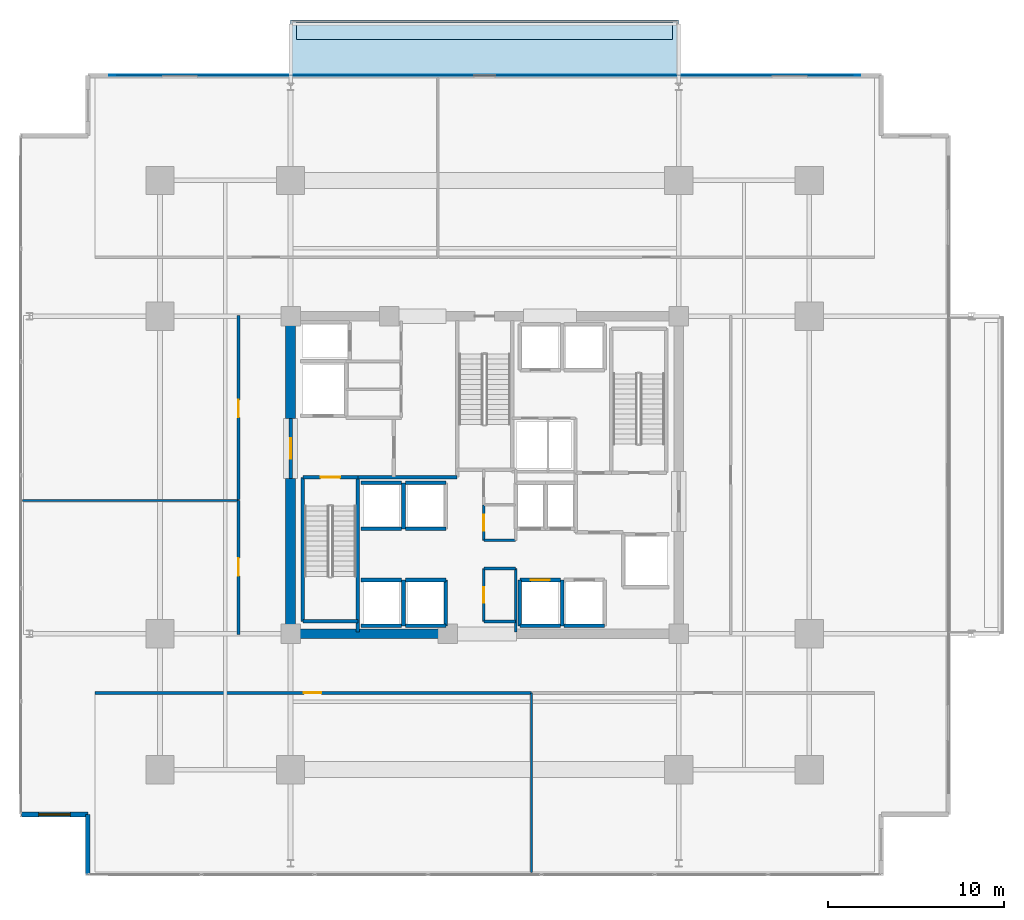
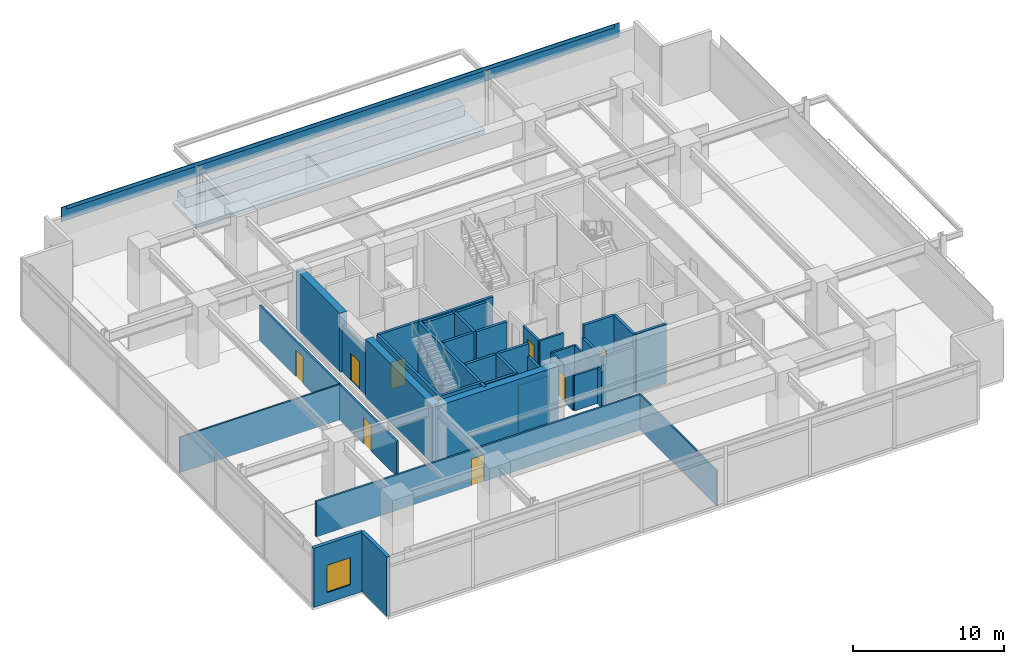
# One storey, part 12 of 20: 38 walls, 8 doors, 2 plates, 2 slabs, 1 window, 9 openings.
"""IFC4 building model written with IfcOpenShell, lengths in metres."""

from ifc_helpers import new_model, si_unit, direction, frame, frame_2d, origin, origin_2d, place, context, subcontext, project, spatial, polyline, rectangle, outline, extrude, material, layer, layer_set, type_object, element, fill, save


model = new_model("IFC4")

# Units and contexts
model_context = context("Model", 3, precision=1e-05, world=origin(), true_north=direction((0.0, 1.0)))
body_context = subcontext(model_context, "Body", "Model", "MODEL_VIEW")
ifc_project = project(units=[si_unit("LENGTHUNIT", "METRE"), si_unit("AREAUNIT", "SQUARE_METRE"), si_unit("VOLUMEUNIT", "CUBIC_METRE"), si_unit("PLANEANGLEUNIT", "RADIAN"), si_unit("MASSUNIT", "GRAM", prefix="KILO")], contexts=[model_context])

# Site, building, storey
site_placement = place(None, origin())
site = spatial("IfcSite", under=ifc_project, at=site_placement, CompositionType="ELEMENT")
building_placement = place(site_placement, origin())
building = spatial("IfcBuilding", under=site, at=building_placement, Name="Kovane Verandah Tower", CompositionType="ELEMENT")
storey_placement = place(building_placement, frame((0.0, 0.0, 123.39990234375)))
storey = spatial("IfcBuildingStorey", under=building, at=storey_placement, Name="L28", CompositionType="ELEMENT", Elevation=123.39990234375)

# Plates
ifc_material_1 = material(Name="Perforated Pale Champagne Anodised Aluminium Solar Screen", Category="aluminium")
ifc_layer_1 = layer(ifc_material_1, 0.050048828125)
ifc_layer_set_1 = layer_set([ifc_layer_1], Name="Perforated Pale Champagne Anodised Aluminium Solar Screen")
plate_type_1 = type_object("IfcPlateType", Name="PL-SCREEN-50", PredefinedType="USERDEFINED", material=ifc_layer_set_1)
plate_1_placement = place(storey_placement, frame((40.0, 50.154296875, 3.875244140625), z_axis=(0.0, 0.0, 1.0), x_axis=(-1.0, 0.0, 0.0)))
element("IfcPlate", 1, at=plate_1_placement, inside=storey, type_object=plate_type_1, Name="L28 N Perforated Champagne-Gold Solar Screen", ObjectType="SCREEN", PredefinedType="USERDEFINED", context=body_context, shape_type="SweptSolid", body=[
    extrude(rectangle(XDim=42.569091796875, YDim=0.050048828125, at=origin_2d()), origin(), (0.0, 0.0, 1.0), 1.14990234375),
])
ifc_material_2 = material(Name="Extruded Pale-Bronze Aluminium Aerofoil Sunshade", Category="aluminium")
ifc_layer_2 = layer(ifc_material_2, 0.06005859375)
ifc_layer_set_2 = layer_set([ifc_layer_2], Name="Extruded Pale-Bronze Aluminium Aerofoil Sunshade")
plate_type_2 = type_object("IfcPlateType", Name="PL-SUNSHADE-60", PredefinedType="USERDEFINED", material=ifc_layer_set_2)
plate_2_placement = place(storey_placement, frame((40.0, 50.1591796875, 4.7548828125), z_axis=(0.0, 0.0, 1.0), x_axis=(-1.0, 0.0, 0.0)))
element("IfcPlate", 2, at=plate_2_placement, inside=storey, type_object=plate_type_2, Name="L28 N Subtropical Aerofoil Sunshade", ObjectType="SUNSHADE", PredefinedType="USERDEFINED", context=body_context, shape_type="SweptSolid", body=[
    extrude(rectangle(XDim=41.76904296875, YDim=0.06005859375, at=origin_2d()), origin(), (0.0, 0.0, 1.0), 0.280029296875),
])

# Slabs
ifc_material_3 = material(Name="Concrete C45/55", Category="concrete")
ifc_layer_3 = layer(ifc_material_3, 0.300048828125)
ifc_layer_set_3 = layer_set([ifc_layer_3], Name="Concrete C45/55")
slab_type_1 = type_object("IfcSlabType", Name="SL-BALC-300", PredefinedType="FLOOR", material=ifc_layer_set_3)
slab_1_placement = place(storey_placement, frame((0.0, 0.0, -0.2998046875)))
element("IfcSlab", 3, at=slab_1_placement, inside=storey, type_object=slab_type_1, Name="L28 N Planted Verandah Balcony Slab", PredefinedType="FLOOR", context=body_context, shape_type="SweptSolid", body=[
    extrude(outline(polyline([(29.0, 50.13916015625), (51.0, 50.13916015625), (51.0, 53.289306640625), (29.0, 53.289306640625), (29.0, 50.13916015625)])), origin(), (0.0, 0.0, 1.0), 0.2998046875),
])
ifc_material_4 = material(Name="Architectural Precast Concrete C45/55 Planter Trough", Category="concrete")
ifc_layer_4 = layer(ifc_material_4, 0.219970703125)
ifc_layer_set_4 = layer_set([ifc_layer_4], Name="Architectural Precast Concrete C45/55 Planter Trough")
slab_type_2 = type_object("IfcSlabType", Name="SL-PLANTER-220", PredefinedType="USERDEFINED", material=ifc_layer_set_4)
slab_2_placement = place(storey_placement, origin())
element("IfcSlab", 4, at=slab_2_placement, inside=storey, type_object=slab_type_2, Name="L28 N Structural Tree Planter", ObjectType="PLANTER", PredefinedType="USERDEFINED", context=body_context, shape_type="SweptSolid", body=[
    extrude(outline(polyline([(29.35009765625, 52.189208984375), (50.64990234375, 52.189208984375), (50.64990234375, 53.189208984375), (29.35009765625, 53.189208984375), (29.35009765625, 52.189208984375)])), origin(), (0.0, 0.0, 1.0), 0.85009765625),
])

# Walls
ifc_material_5 = material(Name="Fire-Rated Gypsum Stud Partition", Category="gypsum")
ifc_layer_5 = layer(ifc_material_5, 0.14990234375)
ifc_layer_set_5 = layer_set([ifc_layer_5], Name="Fire-Rated Gypsum Stud Partition")
wall_type_1 = type_object("IfcWallType", Name="WL-COR-150", PredefinedType="PARTITIONING", material=ifc_layer_set_5)
for number, where, z_axis, x_axis, name in (
    (5, (39.949951171875, 19.199951171875, 0.0), (0.0, 0.0, 1.0), (1.0, 0.0, 0.0), "L28 Central Core Strip South Wall"),
    (6, (39.949951171875, 22.199951171875, 0.0), (0.0, 0.0, 1.0), (1.0, 0.0, 0.0), "L28 Core Cross-Passage South Wall"),
    (7, (39.949951171875, 23.800048828125, 0.0), (0.0, 0.0, 1.0), (1.0, 0.0, 0.0), "L28 Core Cross-Passage North Wall"),
):
    element("IfcWall", number, at=place(storey_placement, frame(where, z_axis=z_axis, x_axis=x_axis)), inside=storey, type_object=wall_type_1, Name=name, PredefinedType="PARTITIONING", context=body_context, shape_type="SweptSolid", body=[
        extrude(rectangle(XDim=1.81005859375, YDim=0.14990234375, at=frame_2d((0.905029296875, 0.0))), origin(), (0.0, 0.0, 1.0), 2.85009765625),
    ])
wall_1_placement = place(storey_placement, frame((41.760009765625, 18.60009765625, 0.0), z_axis=(0.0, 0.0, 1.0), x_axis=(0.0, 1.0, 0.0)))
element("IfcWall", 8, at=wall_1_placement, inside=storey, type_object=wall_type_1, Name="L28 Central Core Strip Lower East Wall", PredefinedType="PARTITIONING", context=body_context, shape_type="SweptSolid", body=[
    extrude(rectangle(XDim=3.599853515625, YDim=0.14990234375, at=frame_2d((1.7998046875, 0.0))), origin(), (0.0, 0.0, 1.0), 2.85009765625),
])

# Wall, opening, door
wall_2_placement = place(storey_placement, frame((39.949951171875, 19.199951171875, 0.0), z_axis=(0.0, 0.0, 1.0), x_axis=(0.0, 1.0, 0.0)))
wall_2 = element("IfcWall", 9, at=wall_2_placement, inside=storey, type_object=wall_type_1, Name="L28 Male Toilet Partition", PredefinedType="PARTITIONING", context=body_context, shape_type="SweptSolid", body=[
    extrude(rectangle(XDim=3.0, YDim=0.14990234375, at=frame_2d((1.5, 0.0))), origin(), (0.0, 0.0, 1.0), 2.85009765625),
])
opening_1_placement = place(wall_2_placement, frame((1.050048828125, 0.0, 0.0)))
opening_1 = element("IfcOpeningElement", 10, at=opening_1_placement, cuts=wall_2, Name="Opening DR-L28-023", PredefinedType="OPENING", context=body_context, shape_type="SweptSolid", body=[
    extrude(rectangle(XDim=0.89990234375, YDim=2.10009765625, at=frame_2d((0.449951171875, 1.050048828125))), frame((0.0, 0.074951171875, 0.0), z_axis=(0.0, -1.0, 0.0), x_axis=(1.0, 0.0, 0.0)), (0.0, 0.0, 1.0), 0.14990234375),
])
ifc_material_6 = material(Name="Moisture-Resistant Laminate Washroom Door", Category="wood")
door_type_1 = type_object("IfcDoorType", Name="DR-WC-900", OperationType="SINGLE_SWING_LEFT", PredefinedType="DOOR", material=ifc_material_6)
door_1_placement = place(opening_1_placement, origin())
door_1 = element("IfcDoor", 11, at=door_1_placement, inside=storey, type_object=door_type_1, Name="L28 Male Toilet Door", OperationType="SINGLE_SWING_LEFT", OverallHeight=2.10009765625, OverallWidth=0.89990234375, PredefinedType="DOOR", context=body_context, shape_type="SweptSolid", body=[
    extrude(rectangle(XDim=0.89990234375, YDim=2.10009765625, at=frame_2d((0.449951171875, 1.050048828125))), frame((0.0, 0.02490234375, 0.0), z_axis=(0.0, -1.0, 0.0), x_axis=(1.0, 0.0, 0.0)), (0.0, 0.0, 1.0), 0.050048828125),
])
fill(opening_1, door_1)

wall_3_placement = place(storey_placement, frame((39.949951171875, 23.800048828125, 0.0), z_axis=(0.0, 0.0, 1.0), x_axis=(0.0, 1.0, 0.0)))
wall_3 = element("IfcWall", 12, at=wall_3_placement, inside=storey, type_object=wall_type_1, Name="L28 Female Toilet Partition", PredefinedType="PARTITIONING", context=body_context, shape_type="SweptSolid", body=[
    extrude(rectangle(XDim=2.0, YDim=0.14990234375, at=frame_2d((1.0, 0.0))), origin(), (0.0, 0.0, 1.0), 2.85009765625),
])
opening_2_placement = place(wall_3_placement, frame((0.550048828125, 0.0, 0.0)))
opening_2 = element("IfcOpeningElement", 13, at=opening_2_placement, cuts=wall_3, Name="Opening DR-L28-022", PredefinedType="OPENING", context=body_context, shape_type="SweptSolid", body=[
    extrude(rectangle(XDim=0.89990234375, YDim=2.10009765625, at=frame_2d((0.449951171875, 1.050048828125))), frame((0.0, 0.074951171875, 0.0), z_axis=(0.0, -1.0, 0.0), x_axis=(1.0, 0.0, 0.0)), (0.0, 0.0, 1.0), 0.14990234375),
])
door_2_placement = place(opening_2_placement, origin())
door_2 = element("IfcDoor", 14, at=door_2_placement, inside=storey, type_object=door_type_1, Name="L28 Female Toilet Door", OperationType="SINGLE_SWING_RIGHT", OverallHeight=2.10009765625, OverallWidth=0.89990234375, PredefinedType="DOOR", context=body_context, shape_type="SweptSolid", body=[
    extrude(rectangle(XDim=0.89990234375, YDim=2.10009765625, at=frame_2d((0.449951171875, 1.050048828125))), frame((0.0, 0.02490234375, 0.0), z_axis=(0.0, -1.0, 0.0), x_axis=(1.0, 0.0, 0.0)), (0.0, 0.0, 1.0), 0.050048828125),
])
fill(opening_2, door_2)

wall_4_placement = place(storey_placement, frame((17.915283203125, 15.14990234375, 0.0), z_axis=(0.0, 0.0, 1.0), x_axis=(1.0, 0.0, 0.0)))
wall_4 = element("IfcWall", 15, at=wall_4_placement, inside=storey, type_object=wall_type_1, Name="L28 Meeting Room S1 Corridor Partition", PredefinedType="PARTITIONING", context=body_context, shape_type="SweptSolid", body=[
    extrude(rectangle(XDim=24.73486328125, YDim=0.14990234375, at=frame_2d((12.367431640625, 0.0))), origin(), (0.0, 0.0, 1.0), 2.85009765625),
])
opening_3_placement = place(wall_4_placement, frame((11.83251953125, 0.0, 0.0)))
opening_3 = element("IfcOpeningElement", 16, at=opening_3_placement, cuts=wall_4, Name="Opening DR-L28-018", PredefinedType="OPENING", context=body_context, shape_type="SweptSolid", body=[
    extrude(rectangle(XDim=1.0, YDim=2.14990234375, at=frame_2d((0.5, 1.074951171875))), frame((0.0, 0.074951171875, 0.0), z_axis=(0.0, -1.0, 0.0), x_axis=(1.0, 0.0, 0.0)), (0.0, 0.0, 1.0), 0.14990234375),
])
ifc_material_7 = material(Name="FSC Spotted-Gum Timber Fire-Rated Office Door", Category="wood")
door_type_2 = type_object("IfcDoorType", Name="DR-OFF-1000", OperationType="SINGLE_SWING_LEFT", PredefinedType="DOOR", material=ifc_material_7)
door_3_placement = place(opening_3_placement, origin())
door_3 = element("IfcDoor", 17, at=door_3_placement, inside=storey, type_object=door_type_2, Name="L28 Meeting Room S1 Entrance Door", OperationType="SINGLE_SWING_LEFT", OverallHeight=2.14990234375, OverallWidth=1.0, PredefinedType="DOOR", context=body_context, shape_type="SweptSolid", body=[
    extrude(rectangle(XDim=1.0, YDim=2.14990234375, at=frame_2d((0.5, 1.074951171875))), frame((0.0, 0.02490234375, 0.0), z_axis=(0.0, -1.0, 0.0), x_axis=(1.0, 0.0, 0.0)), (0.0, 0.0, 1.0), 0.050048828125),
])
fill(opening_3, door_3)

wall_5_placement = place(storey_placement, frame((26.050048828125, 18.449951171875, 0.0), z_axis=(0.0, 0.0, 1.0), x_axis=(0.0, 1.0, 0.0)))
wall_5 = element("IfcWall", 18, at=wall_5_placement, inside=storey, type_object=wall_type_1, Name="L28 Breakout Pantry W1 Corridor Partition", PredefinedType="PARTITIONING", context=body_context, shape_type="SweptSolid", body=[
    extrude(rectangle(XDim=7.60205078125, YDim=0.14990234375, at=frame_2d((3.801025390625, 0.0))), origin(), (0.0, 0.0, 1.0), 2.85009765625),
])
opening_4_placement = place(wall_5_placement, frame((3.341064453125, 0.0, 0.0)))
opening_4 = element("IfcOpeningElement", 19, at=opening_4_placement, cuts=wall_5, Name="Opening DR-L28-024", PredefinedType="OPENING", context=body_context, shape_type="SweptSolid", body=[
    extrude(rectangle(XDim=1.0, YDim=2.14990234375, at=frame_2d((0.5, 1.074951171875))), frame((0.0, 0.074951171875, 0.0), z_axis=(0.0, -1.0, 0.0), x_axis=(1.0, 0.0, 0.0)), (0.0, 0.0, 1.0), 0.14990234375),
])
door_4_placement = place(opening_4_placement, origin())
door_4 = element("IfcDoor", 20, at=door_4_placement, inside=storey, type_object=door_type_2, Name="L28 Breakout Pantry W1 Entrance Door", OperationType="SINGLE_SWING_LEFT", OverallHeight=2.14990234375, OverallWidth=1.0, PredefinedType="DOOR", context=body_context, shape_type="SweptSolid", body=[
    extrude(rectangle(XDim=1.0, YDim=2.14990234375, at=frame_2d((0.5, 1.074951171875))), frame((0.0, 0.02490234375, 0.0), z_axis=(0.0, -1.0, 0.0), x_axis=(1.0, 0.0, 0.0)), (0.0, 0.0, 1.0), 0.050048828125),
])
fill(opening_4, door_4)

wall_6_placement = place(storey_placement, frame((26.050048828125, 26.1220703125, 0.0), z_axis=(0.0, 0.0, 1.0), x_axis=(0.0, 1.0, 0.0)))
wall_6 = element("IfcWall", 21, at=wall_6_placement, inside=storey, type_object=wall_type_1, Name="L28 Collaboration Hub W2 Corridor Partition", PredefinedType="PARTITIONING", context=body_context, shape_type="SweptSolid", body=[
    extrude(rectangle(XDim=10.427978515625, YDim=0.14990234375, at=frame_2d((5.2138671875, 0.0))), origin(), (0.0, 0.0, 1.0), 2.85009765625),
])
opening_5_placement = place(wall_6_placement, frame((4.638916015625, 0.0, 0.0)))
opening_5 = element("IfcOpeningElement", 22, at=opening_5_placement, cuts=wall_6, Name="Opening DR-L28-025", PredefinedType="OPENING", context=body_context, shape_type="SweptSolid", body=[
    extrude(rectangle(XDim=1.0, YDim=2.14990234375, at=frame_2d((0.5, 1.074951171875))), frame((0.0, 0.074951171875, 0.0), z_axis=(0.0, -1.0, 0.0), x_axis=(1.0, 0.0, 0.0)), (0.0, 0.0, 1.0), 0.14990234375),
])
door_5_placement = place(opening_5_placement, origin())
door_5 = element("IfcDoor", 23, at=door_5_placement, inside=storey, type_object=door_type_2, Name="L28 Collaboration Hub W2 Entrance Door", OperationType="SINGLE_SWING_RIGHT", OverallHeight=2.14990234375, OverallWidth=1.0, PredefinedType="DOOR", context=body_context, shape_type="SweptSolid", body=[
    extrude(rectangle(XDim=1.0, YDim=2.14990234375, at=frame_2d((0.5, 1.074951171875))), frame((0.0, 0.02490234375, 0.0), z_axis=(0.0, -1.0, 0.0), x_axis=(1.0, 0.0, 0.0)), (0.0, 0.0, 1.0), 0.050048828125),
])
fill(opening_5, door_5)

# Walls
ifc_material_8 = material(Name="Concrete C60/75", Category="concrete")
ifc_layer_6 = layer(ifc_material_8, 0.550048828125)
ifc_layer_set_6 = layer_set([ifc_layer_6], Name="Concrete C60/75")
wall_type_2 = type_object("IfcWallType", Name="WL-CORE-550", PredefinedType="SHEAR", material=ifc_layer_set_6)
wall_7_placement = place(storey_placement, frame((29.0, 18.5, 0.0), z_axis=(0.0, 0.0, 1.0), x_axis=(1.0, 0.0, 0.0)))
element("IfcWall", 24, at=wall_7_placement, inside=storey, type_object=wall_type_2, Name="L28 Core Shear Wall CS-1", PredefinedType="SHEAR", context=body_context, shape_type="SweptSolid", body=[
    extrude(rectangle(XDim=9.199951171875, YDim=0.550048828125, at=frame_2d((4.60009765625, 0.0))), origin(), (0.0, 0.0, 1.0), 4.775146484375),
])
wall_8_placement = place(storey_placement, frame((29.0, 18.5, 0.0), z_axis=(0.0, 0.0, 1.0), x_axis=(0.0, 1.0, 0.0)))
element("IfcWall", 25, at=wall_8_placement, inside=storey, type_object=wall_type_2, Name="L28 Core Shear Wall CW-1", PredefinedType="SHEAR", context=body_context, shape_type="SweptSolid", body=[
    extrude(rectangle(XDim=8.800048828125, YDim=0.550048828125, at=frame_2d((4.39990234375, 0.0))), origin(), (0.0, 0.0, 1.0), 4.775146484375),
])
wall_9_placement = place(storey_placement, frame((29.0, 30.699951171875, 0.0), z_axis=(0.0, 0.0, 1.0), x_axis=(0.0, 1.0, 0.0)))
element("IfcWall", 26, at=wall_9_placement, inside=storey, type_object=wall_type_2, Name="L28 Core Shear Wall CW-2", PredefinedType="SHEAR", context=body_context, shape_type="SweptSolid", body=[
    extrude(rectangle(XDim=5.800048828125, YDim=0.550048828125, at=frame_2d((2.89990234375, 0.0))), origin(), (0.0, 0.0, 1.0), 4.775146484375),
])

# Wall, opening, door
ifc_material_9 = material(Name="Concrete C45/55 Fire Wall", Category="concrete")
ifc_layer_7 = layer(ifc_material_9, 0.199951171875)
ifc_layer_set_7 = layer_set([ifc_layer_7], Name="Concrete C45/55 Fire Wall")
wall_type_3 = type_object("IfcWallType", Name="WL-FFL-200", PredefinedType="PARTITIONING", material=ifc_layer_set_7)
wall_10_placement = place(storey_placement, frame((29.0, 27.300048828125, 0.0), z_axis=(0.0, 0.0, 1.0), x_axis=(0.0, 1.0, 0.0)))
wall_10 = element("IfcWall", 27, at=wall_10_placement, inside=storey, type_object=wall_type_3, Name="W-L28-FFLW-OUT", PredefinedType="PARTITIONING", context=body_context, shape_type="SweptSolid", body=[
    extrude(rectangle(XDim=3.39990234375, YDim=0.199951171875, at=frame_2d((1.699951171875, 0.0))), origin(), (0.0, 0.0, 1.0), 3.755126953125),
])
opening_6_placement = place(wall_10_placement, frame((1.125, 0.0, 0.0)))
opening_6 = element("IfcOpeningElement", 28, at=opening_6_placement, cuts=wall_10, Name="Opening DR-L28-007", PredefinedType="OPENING", context=body_context, shape_type="SweptSolid", body=[
    extrude(rectangle(XDim=1.14990234375, YDim=2.199951171875, at=frame_2d((0.574951171875, 1.10009765625))), frame((0.0, 0.10009765625, 0.0), z_axis=(0.0, -1.0, 0.0), x_axis=(1.0, 0.0, 0.0)), (0.0, 0.0, 1.0), 0.199951171875),
])
ifc_material_10 = material(Name="Smoke-Sealed Firefighting Lobby Door", Category="steel")
door_type_3 = type_object("IfcDoorType", Name="DR-FFL-1150", OperationType="SINGLE_SWING_LEFT", PredefinedType="DOOR", material=ifc_material_10)
door_6_placement = place(opening_6_placement, origin())
door_6 = element("IfcDoor", 29, at=door_6_placement, inside=storey, type_object=door_type_3, Name="L28 West Firefighting Lobby Corridor Door", OperationType="SINGLE_SWING_RIGHT", OverallHeight=2.199951171875, OverallWidth=1.14990234375, PredefinedType="DOOR", context=body_context, shape_type="SweptSolid", body=[
    extrude(rectangle(XDim=1.14990234375, YDim=2.199951171875, at=frame_2d((0.574951171875, 1.10009765625))), frame((0.0, 0.02490234375, 0.0), z_axis=(0.0, -1.0, 0.0), x_axis=(1.0, 0.0, 0.0)), (0.0, 0.0, 1.0), 0.050048828125),
])
fill(opening_6, door_6)

# Walls
wall_11_placement = place(storey_placement, frame((32.820068359375, 27.3798828125, 0.0), z_axis=(0.0, 0.0, 1.0), x_axis=(1.0, 0.0, 0.0)))
element("IfcWall", 30, at=wall_11_placement, inside=storey, type_object=wall_type_3, Name="L28 West Firefighting Lobby South Fire Wall", PredefinedType="PARTITIONING", context=body_context, shape_type="SweptSolid", body=[
    extrude(rectangle(XDim=5.619873046875, YDim=0.199951171875, at=frame_2d((2.81005859375, 0.0))), origin(), (0.0, 0.0, 1.0), 4.775146484375),
])
ifc_material_11 = material(Name="Concrete C45/55 Lift Shaft Wall", Category="concrete")
ifc_layer_8 = layer(ifc_material_11, 0.199951171875)
ifc_layer_set_8 = layer_set([ifc_layer_8], Name="Concrete C45/55 Lift Shaft Wall")
wall_type_4 = type_object("IfcWallType", Name="WL-LIFT-200", PredefinedType="SOLIDWALL", material=ifc_layer_set_8)
for number, where, z_axis, x_axis, name in (
    (31, (33.0, 18.949951171875, 0.0), (0.0, 0.0, 1.0), (1.0, 0.0, 0.0), "L28 Lift PL-L1 S Shaft Wall"),
    (32, (35.300048828125, 21.550048828125, 0.0), (0.0, 0.0, 1.0), (-1.0, 0.0, 0.0), "L28 Lift PL-L1 N Shaft Wall"),
):
    element("IfcWall", number, at=place(storey_placement, frame(where, z_axis=z_axis, x_axis=x_axis)), inside=storey, type_object=wall_type_4, Name=name, PredefinedType="SOLIDWALL", context=body_context, shape_type="SweptSolid", body=[
        extrude(rectangle(XDim=2.300048828125, YDim=0.199951171875, at=frame_2d((1.14990234375, 0.0))), origin(), (0.0, 0.0, 1.0), 4.775146484375),
    ])
wall_12_placement = place(storey_placement, frame((35.39990234375, 18.949951171875, 0.0), z_axis=(0.0, 0.0, 1.0), x_axis=(0.0, 1.0, 0.0)))
element("IfcWall", 33, at=wall_12_placement, inside=storey, type_object=wall_type_4, Name="L28 Lift PL-L1 and PL-L2 Shared Shaft Wall", PredefinedType="SOLIDWALL", context=body_context, shape_type="SweptSolid", body=[
    extrude(rectangle(XDim=2.60009765625, YDim=0.199951171875, at=frame_2d((1.300048828125, 0.0))), origin(), (0.0, 0.0, 1.0), 4.775146484375),
])
wall_13_placement = place(storey_placement, frame((35.5, 18.949951171875, 0.0), z_axis=(0.0, 0.0, 1.0), x_axis=(1.0, 0.0, 0.0)))
element("IfcWall", 34, at=wall_13_placement, inside=storey, type_object=wall_type_4, Name="L28 Lift PL-L2 S Shaft Wall", PredefinedType="SOLIDWALL", context=body_context, shape_type="SweptSolid", body=[
    extrude(rectangle(XDim=2.300048828125, YDim=0.199951171875, at=frame_2d((1.14990234375, 0.0))), origin(), (0.0, 0.0, 1.0), 3.755126953125),
])
wall_14_placement = place(storey_placement, frame((37.800048828125, 21.550048828125, 0.0), z_axis=(0.0, 0.0, 1.0), x_axis=(-1.0, 0.0, 0.0)))
element("IfcWall", 35, at=wall_14_placement, inside=storey, type_object=wall_type_4, Name="L28 Lift PL-L2 N Shaft Wall", PredefinedType="SOLIDWALL", context=body_context, shape_type="SweptSolid", body=[
    extrude(rectangle(XDim=2.300048828125, YDim=0.199951171875, at=frame_2d((1.14990234375, 0.0))), origin(), (0.0, 0.0, 1.0), 4.775146484375),
])
wall_15_placement = place(storey_placement, frame((37.800048828125, 18.949951171875, 0.0), z_axis=(0.0, 0.0, 1.0), x_axis=(0.0, 1.0, 0.0)))
element("IfcWall", 36, at=wall_15_placement, inside=storey, type_object=wall_type_4, Name="L28 Lift PL-L2 E Shaft Wall", PredefinedType="SOLIDWALL", context=body_context, shape_type="SweptSolid", body=[
    extrude(rectangle(XDim=2.60009765625, YDim=0.199951171875, at=frame_2d((1.300048828125, 0.0))), origin(), (0.0, 0.0, 1.0), 3.755126953125),
])
for number, where, z_axis, x_axis, name in (
    (37, (33.0, 24.449951171875, 0.0), (0.0, 0.0, 1.0), (1.0, 0.0, 0.0), "L28 Lift PL-L3 S Shaft Wall"),
    (38, (35.300048828125, 27.050048828125, 0.0), (0.0, 0.0, 1.0), (-1.0, 0.0, 0.0), "L28 Lift PL-L3 N Shaft Wall"),
):
    element("IfcWall", number, at=place(storey_placement, frame(where, z_axis=z_axis, x_axis=x_axis)), inside=storey, type_object=wall_type_4, Name=name, PredefinedType="SOLIDWALL", context=body_context, shape_type="SweptSolid", body=[
        extrude(rectangle(XDim=2.300048828125, YDim=0.199951171875, at=frame_2d((1.14990234375, 0.0))), origin(), (0.0, 0.0, 1.0), 4.775146484375),
    ])
wall_16_placement = place(storey_placement, frame((35.39990234375, 24.449951171875, 0.0), z_axis=(0.0, 0.0, 1.0), x_axis=(0.0, 1.0, 0.0)))
element("IfcWall", 39, at=wall_16_placement, inside=storey, type_object=wall_type_4, Name="L28 Lift PL-L3 and PL-L4 Shared Shaft Wall", PredefinedType="SOLIDWALL", context=body_context, shape_type="SweptSolid", body=[
    extrude(rectangle(XDim=2.60009765625, YDim=0.199951171875, at=frame_2d((1.300048828125, 0.0))), origin(), (0.0, 0.0, 1.0), 4.775146484375),
])
for number, where, z_axis, x_axis, name in (
    (40, (35.5, 24.449951171875, 0.0), (0.0, 0.0, 1.0), (1.0, 0.0, 0.0), "L28 Lift PL-L4 S Shaft Wall"),
    (41, (37.800048828125, 27.050048828125, 0.0), (0.0, 0.0, 1.0), (-1.0, 0.0, 0.0), "L28 Lift PL-L4 N Shaft Wall"),
):
    element("IfcWall", number, at=place(storey_placement, frame(where, z_axis=z_axis, x_axis=x_axis)), inside=storey, type_object=wall_type_4, Name=name, PredefinedType="SOLIDWALL", context=body_context, shape_type="SweptSolid", body=[
        extrude(rectangle(XDim=2.300048828125, YDim=0.199951171875, at=frame_2d((1.14990234375, 0.0))), origin(), (0.0, 0.0, 1.0), 4.775146484375),
    ])
wall_17_placement = place(storey_placement, frame((42.0, 18.949951171875, 0.0), z_axis=(0.0, 0.0, 1.0), x_axis=(1.0, 0.0, 0.0)))
element("IfcWall", 42, at=wall_17_placement, inside=storey, type_object=wall_type_4, Name="L28 Lift PL-M1 S Shaft Wall", PredefinedType="SOLIDWALL", context=body_context, shape_type="SweptSolid", body=[
    extrude(rectangle(XDim=2.300048828125, YDim=0.199951171875, at=frame_2d((1.14990234375, 0.0))), origin(), (0.0, 0.0, 1.0), 3.755126953125),
])

# Wall, opening, door
wall_18_placement = place(storey_placement, frame((44.300048828125, 21.550048828125, 0.0), z_axis=(0.0, 0.0, 1.0), x_axis=(-1.0, 0.0, 0.0)))
wall_18 = element("IfcWall", 43, at=wall_18_placement, inside=storey, type_object=wall_type_4, Name="L28 Lift PL-M1 N Shaft Wall", PredefinedType="SOLIDWALL", context=body_context, shape_type="SweptSolid", body=[
    extrude(rectangle(XDim=2.300048828125, YDim=0.199951171875, at=frame_2d((1.14990234375, 0.0))), origin(), (0.0, 0.0, 1.0), 4.775146484375),
])
opening_7_placement = place(wall_18_placement, frame((0.60009765625, 0.0, 0.0)))
opening_7 = element("IfcOpeningElement", 44, at=opening_7_placement, cuts=wall_18, Name="Opening LD-L28-004", PredefinedType="OPENING", context=body_context, shape_type="SweptSolid", body=[
    extrude(rectangle(XDim=1.10009765625, YDim=2.199951171875, at=frame_2d((0.550048828125, 1.10009765625))), frame((0.0, 0.10009765625, 0.0), z_axis=(0.0, -1.0, 0.0), x_axis=(1.0, 0.0, 0.0)), (0.0, 0.0, 1.0), 0.199951171875),
])
ifc_material_12 = material(Name="Brushed Stainless Steel Sliding Lift Landing Door", Category="steel")
door_type_4 = type_object("IfcDoorType", Name="DR-LIFT-1100", OperationType="SLIDING_TO_RIGHT", PredefinedType="DOOR", material=ifc_material_12)
door_7_placement = place(opening_7_placement, origin())
door_7 = element("IfcDoor", 45, at=door_7_placement, inside=storey, type_object=door_type_4, Name="L28 Lift PL-M1 Sliding Landing Door", OperationType="SLIDING_TO_RIGHT", OverallHeight=2.199951171875, OverallWidth=1.10009765625, PredefinedType="DOOR", context=body_context, shape_type="SweptSolid", body=[
    extrude(rectangle(XDim=1.10009765625, YDim=2.199951171875, at=frame_2d((0.550048828125, 1.10009765625))), frame((0.0, 0.02490234375, 0.0), z_axis=(0.0, -1.0, 0.0), x_axis=(1.0, 0.0, 0.0)), (0.0, 0.0, 1.0), 0.050048828125),
])
fill(opening_7, door_7)

# Walls
wall_19_placement = place(storey_placement, frame((42.0, 21.550048828125, 0.0), z_axis=(0.0, 0.0, 1.0), x_axis=(0.0, -1.0, 0.0)))
element("IfcWall", 46, at=wall_19_placement, inside=storey, type_object=wall_type_4, Name="L28 Lift PL-M1 W Shaft Wall", PredefinedType="SOLIDWALL", context=body_context, shape_type="SweptSolid", body=[
    extrude(rectangle(XDim=2.60009765625, YDim=0.199951171875, at=frame_2d((1.300048828125, 0.0))), origin(), (0.0, 0.0, 1.0), 3.755126953125),
])
wall_20_placement = place(storey_placement, frame((44.39990234375, 18.949951171875, 0.0), z_axis=(0.0, 0.0, 1.0), x_axis=(0.0, 1.0, 0.0)))
element("IfcWall", 47, at=wall_20_placement, inside=storey, type_object=wall_type_4, Name="L28 Lift PL-M1 and PL-M2 Shared Shaft Wall", PredefinedType="SOLIDWALL", context=body_context, shape_type="SweptSolid", body=[
    extrude(rectangle(XDim=2.60009765625, YDim=0.199951171875, at=frame_2d((1.300048828125, 0.0))), origin(), (0.0, 0.0, 1.0), 4.775146484375),
])
wall_21_placement = place(storey_placement, frame((44.5, 18.949951171875, 0.0), z_axis=(0.0, 0.0, 1.0), x_axis=(1.0, 0.0, 0.0)))
element("IfcWall", 48, at=wall_21_placement, inside=storey, type_object=wall_type_4, Name="L28 Lift PL-M2 S Shaft Wall", PredefinedType="SOLIDWALL", context=body_context, shape_type="SweptSolid", body=[
    extrude(rectangle(XDim=2.300048828125, YDim=0.199951171875, at=frame_2d((1.14990234375, 0.0))), origin(), (0.0, 0.0, 1.0), 4.775146484375),
])
ifc_material_13 = material(Name="Acoustic Fire-Rated Gypsum Partition", Category="gypsum")
ifc_layer_9 = layer(ifc_material_13, 0.1201171875)
ifc_layer_set_9 = layer_set([ifc_layer_9], Name="Acoustic Fire-Rated Gypsum Partition")
wall_type_5 = type_object("IfcWallType", Name="WL-PART-120", PredefinedType="PARTITIONING", material=ifc_layer_set_9)
wall_22_placement = place(storey_placement, frame((42.650146484375, 4.960693359375, 0.0), z_axis=(0.0, 0.0, 1.0), x_axis=(0.0, 1.0, 0.0)))
element("IfcWall", 49, at=wall_22_placement, inside=storey, type_object=wall_type_5, Name="L28 Meeting Room S1 Dividing Partition", PredefinedType="PARTITIONING", context=body_context, shape_type="SweptSolid", body=[
    extrude(rectangle(XDim=10.189208984375, YDim=0.1201171875, at=frame_2d((5.0947265625, 0.0))), origin(), (0.0, 0.0, 1.0), 2.85009765625),
])
wall_23_placement = place(storey_placement, frame((13.8154296875, 26.052001953125, 0.0), z_axis=(0.0, 0.0, 1.0), x_axis=(1.0, 0.0, 0.0)))
element("IfcWall", 50, at=wall_23_placement, inside=storey, type_object=wall_type_5, Name="L28 Breakout Pantry W1 Dividing Partition", PredefinedType="PARTITIONING", context=body_context, shape_type="SweptSolid", body=[
    extrude(rectangle(XDim=12.234619140625, YDim=0.1201171875, at=frame_2d((6.1171875, 0.0))), origin(), (0.0, 0.0, 1.0), 2.85009765625),
])
ifc_layer_10 = layer(ifc_material_3, 0.199951171875)
ifc_layer_set_10 = layer_set([ifc_layer_10], Name="Concrete C45/55")
wall_type_6 = type_object("IfcWallType", Name="WL-SHAFT-200", PredefinedType="SOLIDWALL", material=ifc_layer_set_10)
wall_24_placement = place(storey_placement, frame((29.699951171875, 19.199951171875, 0.0), z_axis=(0.0, 0.0, 1.0), x_axis=(0.0, 1.0, 0.0)))
element("IfcWall", 51, at=wall_24_placement, inside=storey, type_object=wall_type_6, Name="W-L28-ST01-W", PredefinedType="SOLIDWALL", context=body_context, shape_type="SweptSolid", body=[
    extrude(rectangle(XDim=8.150146484375, YDim=0.199951171875, at=frame_2d((4.0751953125, 0.0))), origin(), (0.0, 0.0, 1.0), 4.775146484375),
])
wall_25_placement = place(storey_placement, frame((29.699951171875, 19.199951171875, 0.0), z_axis=(0.0, 0.0, 1.0), x_axis=(1.0, 0.0, 0.0)))
element("IfcWall", 52, at=wall_25_placement, inside=storey, type_object=wall_type_6, Name="W-L28-ST01-S", PredefinedType="SOLIDWALL", context=body_context, shape_type="SweptSolid", body=[
    extrude(rectangle(XDim=3.1201171875, YDim=0.199951171875, at=frame_2d((1.56005859375, 0.0))), origin(), (0.0, 0.0, 1.0), 4.775146484375),
])
wall_26_placement = place(storey_placement, frame((32.820068359375, 18.60009765625, 0.0), z_axis=(0.0, 0.0, 1.0), x_axis=(0.0, 1.0, 0.0)))
element("IfcWall", 53, at=wall_26_placement, inside=storey, type_object=wall_type_6, Name="W-L28-ST01-E", PredefinedType="SOLIDWALL", context=body_context, shape_type="SweptSolid", body=[
    extrude(rectangle(XDim=8.77978515625, YDim=0.199951171875, at=frame_2d((4.389892578125, 0.0))), origin(), (0.0, 0.0, 1.0), 4.775146484375),
])

# Wall, opening, door
wall_27_placement = place(storey_placement, frame((29.699951171875, 27.3798828125, 0.0), z_axis=(0.0, 0.0, 1.0), x_axis=(1.0, 0.0, 0.0)))
wall_27 = element("IfcWall", 54, at=wall_27_placement, inside=storey, type_object=wall_type_6, Name="W-L28-ST01-N", PredefinedType="SOLIDWALL", context=body_context, shape_type="SweptSolid", body=[
    extrude(rectangle(XDim=3.1201171875, YDim=0.199951171875, at=frame_2d((1.56005859375, 0.0))), origin(), (0.0, 0.0, 1.0), 4.775146484375),
])
opening_8_placement = place(wall_27_placement, frame((1.010009765625, 0.0, 0.0)))
opening_8 = element("IfcOpeningElement", 55, at=opening_8_placement, cuts=wall_27, Name="Opening DR-L28-009", PredefinedType="OPENING", context=body_context, shape_type="SweptSolid", body=[
    extrude(rectangle(XDim=1.10009765625, YDim=2.14990234375, at=frame_2d((0.550048828125, 1.074951171875))), frame((0.0, 0.10009765625, 0.0), z_axis=(0.0, -1.0, 0.0), x_axis=(1.0, 0.0, 0.0)), (0.0, 0.0, 1.0), 0.199951171875),
])
ifc_material_14 = material(Name="Fire-Rated Steel Exit Door", Category="steel")
door_type_5 = type_object("IfcDoorType", Name="DR-STAIR-1100", OperationType="SINGLE_SWING_LEFT", PredefinedType="DOOR", material=ifc_material_14)
door_8_placement = place(opening_8_placement, origin())
door_8 = element("IfcDoor", 56, at=door_8_placement, inside=storey, type_object=door_type_5, Name="L28 ST-01 Fire Exit Stair Door", OperationType="SINGLE_SWING_RIGHT", OverallHeight=2.14990234375, OverallWidth=1.10009765625, PredefinedType="DOOR", context=body_context, shape_type="SweptSolid", body=[
    extrude(rectangle(XDim=1.10009765625, YDim=2.14990234375, at=frame_2d((0.550048828125, 1.074951171875))), frame((0.0, 0.02490234375, 0.0), z_axis=(0.0, -1.0, 0.0), x_axis=(1.0, 0.0, 0.0)), (0.0, 0.0, 1.0), 0.050048828125),
])
fill(opening_8, door_8)

# Wall, opening, window
ifc_material_15 = material(Name="Concrete C45/55 Insulated Spandrel Wall", Category="concrete")
ifc_layer_11 = layer(ifc_material_15, 0.260009765625)
ifc_layer_set_11 = layer_set([ifc_layer_11], Name="Concrete C45/55 Insulated Spandrel Wall")
wall_type_7 = type_object("IfcWallType", Name="WL-SPANDREL-260", PredefinedType="PARAPET", material=ifc_layer_set_11)
wall_28_placement = place(storey_placement, frame((13.71533203125, 8.2607421875, 0.0), z_axis=(0.0, 0.0, 1.0), x_axis=(1.0, 0.0, 0.0)))
wall_28 = element("IfcWall", 57, at=wall_28_placement, inside=storey, type_object=wall_type_7, Name="L28 SW Notch Cheek Wall 1", PredefinedType="PARAPET", context=body_context, shape_type="SweptSolid", body=[
    extrude(rectangle(XDim=3.800048828125, YDim=0.260009765625, at=frame_2d((1.89990234375, 0.0))), origin(), (0.0, 0.0, 1.0), 4.775146484375),
])
opening_9_placement = place(wall_28_placement, frame((1.0, 0.0, 0.85009765625)))
opening_9 = element("IfcOpeningElement", 58, at=opening_9_placement, cuts=wall_28, Name="Opening W-03", PredefinedType="OPENING", context=body_context, shape_type="SweptSolid", body=[
    extrude(rectangle(XDim=1.800048828125, YDim=2.199951171875, at=frame_2d((0.89990234375, 1.10009765625))), frame((0.0, 0.1298828125, 0.0), z_axis=(0.0, -1.0, 0.0), x_axis=(1.0, 0.0, 0.0)), (0.0, 0.0, 1.0), 0.260009765625),
])
ifc_material_16 = material(Name="Clear Low-E Laminated Double Glazing in Anodised Frame", Category="glass")
window_type = type_object("IfcWindowType", Name="WN-NOTCH-1800x2200", PartitioningType="SINGLE_PANEL", PredefinedType="WINDOW", material=ifc_material_16)
window_placement = place(opening_9_placement, origin())
window = element("IfcWindow", 59, at=window_placement, inside=storey, type_object=window_type, Name="L28 SW Re-Entrant Corner Operable Window", OverallHeight=2.199951171875, OverallWidth=1.800048828125, PartitioningType="SINGLE_PANEL", PredefinedType="WINDOW", context=body_context, shape_type="SweptSolid", body=[
    extrude(rectangle(XDim=1.800048828125, YDim=2.199951171875, at=frame_2d((0.89990234375, 1.10009765625))), frame((0.0, 0.030029296875, 0.0), z_axis=(0.0, -1.0, 0.0), x_axis=(1.0, 0.0, 0.0)), (0.0, 0.0, 1.0), 0.06005859375),
])
fill(opening_9, window)

# Wall
wall_29_placement = place(storey_placement, frame((17.515380859375, 8.2607421875, 0.0), z_axis=(0.0, 0.0, 1.0), x_axis=(0.0, -1.0, 0.0)))
element("IfcWall", 60, at=wall_29_placement, inside=storey, type_object=wall_type_7, Name="L28 SW Notch Cheek Wall 2", PredefinedType="PARAPET", context=body_context, shape_type="SweptSolid", body=[
    extrude(rectangle(XDim=3.39990234375, YDim=0.260009765625, at=frame_2d((1.699951171875, 0.0))), origin(), (0.0, 0.0, 1.0), 4.775146484375),
])

save(model, "model.ifc")
